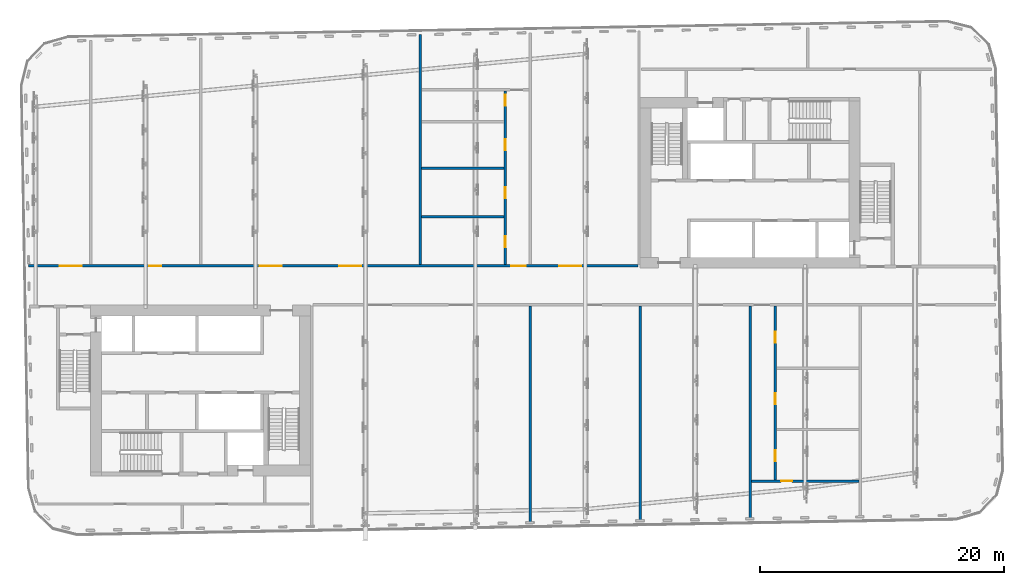
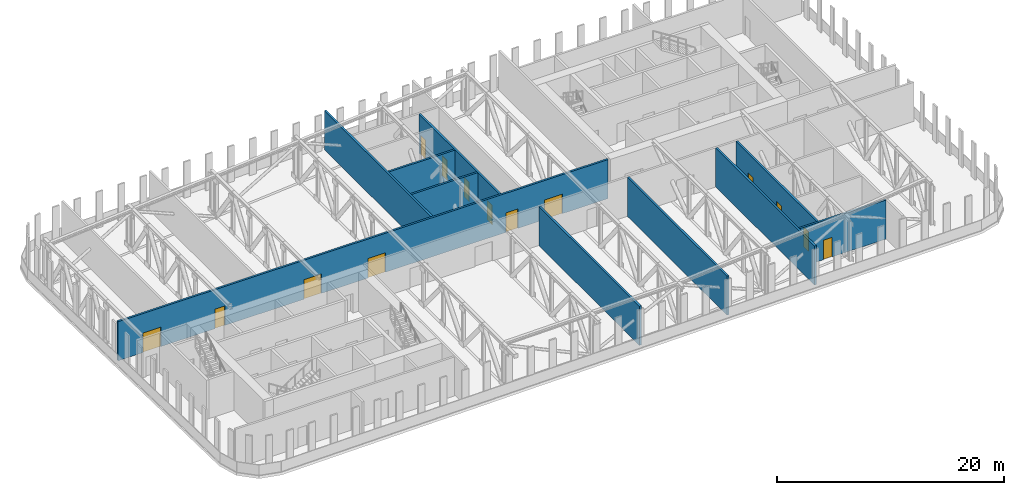
# One storey, part 11 of 26: 14 doors, 10 walls, 14 openings.
"""IFC4 building model written with IfcOpenShell, lengths in metres."""

from ifc_helpers import new_model, si_unit, direction, frame, frame_2d, origin, place, context, subcontext, project, spatial, rectangle, extrude, material, layer, layer_set, type_object, element, fill, save


model = new_model("IFC4")

# Units and contexts
model_context = context("Model", 3, precision=1e-05, world=origin(), true_north=direction((0.0, 1.0)))
body_context = subcontext(model_context, "Body", "Model", "MODEL_VIEW")
ifc_project = project(units=[si_unit("LENGTHUNIT", "METRE"), si_unit("AREAUNIT", "SQUARE_METRE"), si_unit("VOLUMEUNIT", "CUBIC_METRE"), si_unit("PLANEANGLEUNIT", "RADIAN"), si_unit("MASSUNIT", "GRAM", prefix="KILO")], contexts=[model_context])

# Site, building, storey
site_placement = place(None, origin())
site = spatial("IfcSite", under=ifc_project, at=site_placement, CompositionType="ELEMENT")
building_placement = place(site_placement, origin())
building = spatial("IfcBuilding", under=site, at=building_placement, Name="Kajstack Hotel Tower", CompositionType="ELEMENT")
storey_placement = place(building_placement, frame((0.0, 0.0, 257.300048828125)))
storey = spatial("IfcBuildingStorey", under=building, at=storey_placement, Name="L64", CompositionType="ELEMENT", Elevation=257.300048828125)

# Wall, openings, doors
ifc_material_1 = material(Name="Gypsum board on steel studs, mineral wool", Category="steel")
ifc_layer = layer(ifc_material_1, 0.199951171875)
ifc_layer_set = layer_set([ifc_layer], Name="Public partition 200")
wall_type = type_object("IfcWallType", Name="Public partition 200", PredefinedType="PARTITIONING", material=ifc_layer_set)
wall_1_placement = place(storey_placement, frame((2.449951171875, 1.800048828125, 0.0), z_axis=(0.0, 0.0, 1.0), x_axis=(0.0, 1.0, 0.0)))
wall_1 = element("IfcWall", 1, at=wall_1_placement, inside=storey, type_object=wall_type, Name="Partition C1CW", PredefinedType="PARTITIONING", context=body_context, shape_type="SweptSolid", body=[
    extrude(rectangle(XDim=14.20068359375, YDim=0.199951171875, at=frame_2d((7.100341796875, 0.0))), origin(), (0.0, 0.0, 1.0), 4.199951171875),
])
opening_1_placement = place(wall_1_placement, frame((1.39990234375, 0.0, 0.0)))
opening_1 = element("IfcOpeningElement", 2, at=opening_1_placement, cuts=wall_1, Name="Opening 64P03", PredefinedType="OPENING", context=body_context, shape_type="SweptSolid", body=[
    extrude(rectangle(XDim=0.89990234375, YDim=2.10009765625, at=frame_2d((0.449951171875, 1.050048828125))), frame((0.0, 0.10986328125, 0.0), z_axis=(0.0, -1.0, 0.0), x_axis=(1.0, 0.0, 0.0)), (0.0, 0.0, 1.0), 0.219970703125),
])
opening_2_placement = place(wall_1_placement, frame((5.449951171875, 0.0, 0.0)))
opening_2 = element("IfcOpeningElement", 3, at=opening_2_placement, cuts=wall_1, Name="Opening 64P04", PredefinedType="OPENING", context=body_context, shape_type="SweptSolid", body=[
    extrude(rectangle(XDim=0.89990234375, YDim=2.10009765625, at=frame_2d((0.449951171875, 1.050048828125))), frame((0.0, 0.10986328125, 0.0), z_axis=(0.0, -1.0, 0.0), x_axis=(1.0, 0.0, 0.0)), (0.0, 0.0, 1.0), 0.219970703125),
])
opening_3_placement = place(wall_1_placement, frame((9.35009765625, 0.0, 0.0)))
opening_3 = element("IfcOpeningElement", 4, at=opening_3_placement, cuts=wall_1, Name="Opening 64P05", PredefinedType="OPENING", context=body_context, shape_type="SweptSolid", body=[
    extrude(rectangle(XDim=0.89990234375, YDim=2.10009765625, at=frame_2d((0.449951171875, 1.050048828125))), frame((0.0, 0.10986328125, 0.0), z_axis=(0.0, -1.0, 0.0), x_axis=(1.0, 0.0, 0.0)), (0.0, 0.0, 1.0), 0.219970703125),
])
opening_4_placement = place(wall_1_placement, frame((13.0, 0.0, 0.0)))
opening_4 = element("IfcOpeningElement", 5, at=opening_4_placement, cuts=wall_1, Name="Opening 64P06", PredefinedType="OPENING", context=body_context, shape_type="SweptSolid", body=[
    extrude(rectangle(XDim=0.89990234375, YDim=2.10009765625, at=frame_2d((0.449951171875, 1.050048828125))), frame((0.0, 0.10986328125, 0.0), z_axis=(0.0, -1.0, 0.0), x_axis=(1.0, 0.0, 0.0)), (0.0, 0.0, 1.0), 0.219970703125),
])
ifc_material_2 = material(Name="Timber leaf", Category="wood")
door_type_1 = type_object("IfcDoorType", Name="Public room door 900", OperationType="SINGLE_SWING_LEFT", PredefinedType="DOOR", material=ifc_material_2)
door_1_placement = place(opening_1_placement, origin())
door_1 = element("IfcDoor", 6, at=door_1_placement, inside=storey, type_object=door_type_1, Name="Door 64P03", OperationType="SINGLE_SWING_LEFT", OverallHeight=2.10009765625, OverallWidth=0.89990234375, PredefinedType="DOOR", context=body_context, shape_type="SweptSolid", body=[
    extrude(rectangle(XDim=0.89990234375, YDim=2.10009765625, at=frame_2d((0.449951171875, 1.050048828125))), frame((0.0, 0.02490234375, 0.0), z_axis=(0.0, -1.0, 0.0), x_axis=(1.0, 0.0, 0.0)), (0.0, 0.0, 1.0), 0.050048828125),
])
fill(opening_1, door_1)
door_2_placement = place(opening_2_placement, origin())
door_2 = element("IfcDoor", 7, at=door_2_placement, inside=storey, type_object=door_type_1, Name="Door 64P04", OperationType="SINGLE_SWING_LEFT", OverallHeight=2.10009765625, OverallWidth=0.89990234375, PredefinedType="DOOR", context=body_context, shape_type="SweptSolid", body=[
    extrude(rectangle(XDim=0.89990234375, YDim=2.10009765625, at=frame_2d((0.449951171875, 1.050048828125))), frame((0.0, 0.02490234375, 0.0), z_axis=(0.0, -1.0, 0.0), x_axis=(1.0, 0.0, 0.0)), (0.0, 0.0, 1.0), 0.050048828125),
])
fill(opening_2, door_2)
door_3_placement = place(opening_3_placement, origin())
door_3 = element("IfcDoor", 8, at=door_3_placement, inside=storey, type_object=door_type_1, Name="Door 64P05", OperationType="SINGLE_SWING_LEFT", OverallHeight=2.10009765625, OverallWidth=0.89990234375, PredefinedType="DOOR", context=body_context, shape_type="SweptSolid", body=[
    extrude(rectangle(XDim=0.89990234375, YDim=2.10009765625, at=frame_2d((0.449951171875, 1.050048828125))), frame((0.0, 0.02490234375, 0.0), z_axis=(0.0, -1.0, 0.0), x_axis=(1.0, 0.0, 0.0)), (0.0, 0.0, 1.0), 0.050048828125),
])
fill(opening_3, door_3)
door_4_placement = place(opening_4_placement, origin())
door_4 = element("IfcDoor", 9, at=door_4_placement, inside=storey, type_object=door_type_1, Name="Door 64P06", OperationType="SINGLE_SWING_LEFT", OverallHeight=2.10009765625, OverallWidth=0.89990234375, PredefinedType="DOOR", context=body_context, shape_type="SweptSolid", body=[
    extrude(rectangle(XDim=0.89990234375, YDim=2.10009765625, at=frame_2d((0.449951171875, 1.050048828125))), frame((0.0, 0.02490234375, 0.0), z_axis=(0.0, -1.0, 0.0), x_axis=(1.0, 0.0, 0.0)), (0.0, 0.0, 1.0), 0.050048828125),
])
fill(opening_4, door_4)

# Walls
for number, where, z_axis, x_axis, name in (
    (10, (-4.39990234375, 5.699951171875, 0.0), (0.0, 0.0, 1.0), (1.0, 0.0, 0.0), "Partition C1wP0"),
    (11, (-4.39990234375, 9.699951171875, 0.0), (0.0, 0.0, 1.0), (1.0, 0.0, 0.0), "Partition C1wP1"),
):
    element("IfcWall", number, at=place(storey_placement, frame(where, z_axis=z_axis, x_axis=x_axis)), inside=storey, type_object=wall_type, Name=name, PredefinedType="PARTITIONING", context=body_context, shape_type="SweptSolid", body=[
        extrude(rectangle(XDim=6.75, YDim=0.199951171875, at=frame_2d((3.375, 0.0))), origin(), (0.0, 0.0, 1.0), 4.199951171875),
    ])
wall_2_placement = place(storey_placement, frame((-4.5, 1.800048828125, 0.0), z_axis=(0.0, 0.0, 1.0), x_axis=(0.0, 1.0, 0.0)))
element("IfcWall", 12, at=wall_2_placement, inside=storey, type_object=wall_type, Name="Partition PX1", PredefinedType="PARTITIONING", context=body_context, shape_type="SweptSolid", body=[
    extrude(rectangle(XDim=18.822021484375, YDim=0.199951171875, at=frame_2d((9.4111328125, 0.0))), origin(), (0.0, 0.0, 1.0), 4.199951171875),
])

# Wall, openings, doors
wall_3_placement = place(storey_placement, frame((-36.57177734375, 1.699951171875, 0.0), z_axis=(0.0, 0.0, 1.0), x_axis=(1.0, 0.0, 0.0)))
wall_3 = element("IfcWall", 13, at=wall_3_placement, inside=storey, type_object=wall_type, Name="Partition FW", PredefinedType="PARTITIONING", context=body_context, shape_type="SweptSolid", body=[
    extrude(rectangle(XDim=49.871826171875, YDim=0.199951171875, at=frame_2d((24.93603515625, 0.0))), origin(), (0.0, 0.0, 1.0), 4.199951171875),
])
opening_5_placement = place(wall_3_placement, frame((43.421630859375, 0.0, 0.0)))
opening_5 = element("IfcOpeningElement", 14, at=opening_5_placement, cuts=wall_3, Name="Opening 64P01", PredefinedType="OPENING", context=body_context, shape_type="SweptSolid", body=[
    extrude(rectangle(XDim=1.800048828125, YDim=2.10009765625, at=frame_2d((0.89990234375, 1.050048828125))), frame((0.0, 0.10986328125, 0.0), z_axis=(0.0, -1.0, 0.0), x_axis=(1.0, 0.0, 0.0)), (0.0, 0.0, 1.0), 0.219970703125),
])
opening_6_placement = place(wall_3_placement, frame((39.49658203125, 0.0, 0.0)))
opening_6 = element("IfcOpeningElement", 15, at=opening_6_placement, cuts=wall_3, Name="Opening 64P02", PredefinedType="OPENING", context=body_context, shape_type="SweptSolid", body=[
    extrude(rectangle(XDim=1.199951171875, YDim=2.10009765625, at=frame_2d((0.60009765625, 1.050048828125))), frame((0.0, 0.10986328125, 0.0), z_axis=(0.0, -1.0, 0.0), x_axis=(1.0, 0.0, 0.0)), (0.0, 0.0, 1.0), 0.219970703125),
])
opening_7_placement = place(wall_3_placement, frame((25.431640625, 0.0, 0.0)))
opening_7 = element("IfcOpeningElement", 16, at=opening_7_placement, cuts=wall_3, Name="Opening 64P08", PredefinedType="OPENING", context=body_context, shape_type="SweptSolid", body=[
    extrude(rectangle(XDim=1.800048828125, YDim=2.10009765625, at=frame_2d((0.89990234375, 1.050048828125))), frame((0.0, 0.10986328125, 0.0), z_axis=(0.0, -1.0, 0.0), x_axis=(1.0, 0.0, 0.0)), (0.0, 0.0, 1.0), 0.219970703125),
])
opening_8_placement = place(wall_3_placement, frame((18.91162109375, 0.0, 0.0)))
opening_8 = element("IfcOpeningElement", 17, at=opening_8_placement, cuts=wall_3, Name="Opening 64P09", PredefinedType="OPENING", context=body_context, shape_type="SweptSolid", body=[
    extrude(rectangle(XDim=1.800048828125, YDim=2.10009765625, at=frame_2d((0.89990234375, 1.050048828125))), frame((0.0, 0.10986328125, 0.0), z_axis=(0.0, -1.0, 0.0), x_axis=(1.0, 0.0, 0.0)), (0.0, 0.0, 1.0), 0.219970703125),
])
opening_9_placement = place(wall_3_placement, frame((9.87158203125, 0.0, 0.0)))
opening_9 = element("IfcOpeningElement", 18, at=opening_9_placement, cuts=wall_3, Name="Opening 64P10", PredefinedType="OPENING", context=body_context, shape_type="SweptSolid", body=[
    extrude(rectangle(XDim=1.0, YDim=2.10009765625, at=frame_2d((0.5, 1.050048828125))), frame((0.0, 0.10986328125, 0.0), z_axis=(0.0, -1.0, 0.0), x_axis=(1.0, 0.0, 0.0)), (0.0, 0.0, 1.0), 0.219970703125),
])
opening_10_placement = place(wall_3_placement, frame((2.562744140625, 0.0, 0.0)))
opening_10 = element("IfcOpeningElement", 19, at=opening_10_placement, cuts=wall_3, Name="Opening 64P11", PredefinedType="OPENING", context=body_context, shape_type="SweptSolid", body=[
    extrude(rectangle(XDim=1.800048828125, YDim=2.10009765625, at=frame_2d((0.89990234375, 1.050048828125))), frame((0.0, 0.10986328125, 0.0), z_axis=(0.0, -1.0, 0.0), x_axis=(1.0, 0.0, 0.0)), (0.0, 0.0, 1.0), 0.219970703125),
])
ifc_material_3 = material(Name="Timber leaf, fire-rated", Category="wood")
door_type_2 = type_object("IfcDoorType", Name="Public corridor door 1200", OperationType="SINGLE_SWING_LEFT", PredefinedType="DOOR", material=ifc_material_3)
door_5_placement = place(opening_6_placement, origin())
door_5 = element("IfcDoor", 20, at=door_5_placement, inside=storey, type_object=door_type_2, Name="Door 64P02", OperationType="SINGLE_SWING_LEFT", OverallHeight=2.10009765625, OverallWidth=1.199951171875, PredefinedType="DOOR", context=body_context, shape_type="SweptSolid", body=[
    extrude(rectangle(XDim=1.199951171875, YDim=2.10009765625, at=frame_2d((0.60009765625, 1.050048828125))), frame((0.0, 0.02490234375, 0.0), z_axis=(0.0, -1.0, 0.0), x_axis=(1.0, 0.0, 0.0)), (0.0, 0.0, 1.0), 0.050048828125),
])
fill(opening_6, door_5)
ifc_material_4 = material(Name="Glazed timber frame, fire-rated glass", Category="wood")
door_type_3 = type_object("IfcDoorType", Name="Public double door 1800", OperationType="DOUBLE_DOOR_DOUBLE_SWING", PredefinedType="DOOR", material=ifc_material_4)
door_6_placement = place(opening_5_placement, origin())
door_6 = element("IfcDoor", 21, at=door_6_placement, inside=storey, type_object=door_type_3, Name="Door 64P01", OperationType="DOUBLE_DOOR_DOUBLE_SWING", OverallHeight=2.10009765625, OverallWidth=1.800048828125, PredefinedType="DOOR", context=body_context, shape_type="SweptSolid", body=[
    extrude(rectangle(XDim=1.800048828125, YDim=2.10009765625, at=frame_2d((0.89990234375, 1.050048828125))), frame((0.0, 0.02490234375, 0.0), z_axis=(0.0, -1.0, 0.0), x_axis=(1.0, 0.0, 0.0)), (0.0, 0.0, 1.0), 0.050048828125),
])
fill(opening_5, door_6)
door_7_placement = place(opening_7_placement, origin())
door_7 = element("IfcDoor", 22, at=door_7_placement, inside=storey, type_object=door_type_3, Name="Door 64P08", OperationType="DOUBLE_DOOR_DOUBLE_SWING", OverallHeight=2.10009765625, OverallWidth=1.800048828125, PredefinedType="DOOR", context=body_context, shape_type="SweptSolid", body=[
    extrude(rectangle(XDim=1.800048828125, YDim=2.10009765625, at=frame_2d((0.89990234375, 1.050048828125))), frame((0.0, 0.02490234375, 0.0), z_axis=(0.0, -1.0, 0.0), x_axis=(1.0, 0.0, 0.0)), (0.0, 0.0, 1.0), 0.050048828125),
])
fill(opening_7, door_7)
door_8_placement = place(opening_8_placement, origin())
door_8 = element("IfcDoor", 23, at=door_8_placement, inside=storey, type_object=door_type_3, Name="Door 64P09", OperationType="DOUBLE_DOOR_DOUBLE_SWING", OverallHeight=2.10009765625, OverallWidth=1.800048828125, PredefinedType="DOOR", context=body_context, shape_type="SweptSolid", body=[
    extrude(rectangle(XDim=1.800048828125, YDim=2.10009765625, at=frame_2d((0.89990234375, 1.050048828125))), frame((0.0, 0.02490234375, 0.0), z_axis=(0.0, -1.0, 0.0), x_axis=(1.0, 0.0, 0.0)), (0.0, 0.0, 1.0), 0.050048828125),
])
fill(opening_8, door_8)
door_9_placement = place(opening_10_placement, origin())
door_9 = element("IfcDoor", 24, at=door_9_placement, inside=storey, type_object=door_type_3, Name="Door 64P11", OperationType="DOUBLE_DOOR_DOUBLE_SWING", OverallHeight=2.10009765625, OverallWidth=1.800048828125, PredefinedType="DOOR", context=body_context, shape_type="SweptSolid", body=[
    extrude(rectangle(XDim=1.800048828125, YDim=2.10009765625, at=frame_2d((0.89990234375, 1.050048828125))), frame((0.0, 0.02490234375, 0.0), z_axis=(0.0, -1.0, 0.0), x_axis=(1.0, 0.0, 0.0)), (0.0, 0.0, 1.0), 0.050048828125),
])
fill(opening_10, door_9)
door_type_4 = type_object("IfcDoorType", Name="Public room door 1000", OperationType="SINGLE_SWING_LEFT", PredefinedType="DOOR", material=ifc_material_2)
door_10_placement = place(opening_9_placement, origin())
door_10 = element("IfcDoor", 25, at=door_10_placement, inside=storey, type_object=door_type_4, Name="Door 64P10", OperationType="SINGLE_SWING_LEFT", OverallHeight=2.10009765625, OverallWidth=1.0, PredefinedType="DOOR", context=body_context, shape_type="SweptSolid", body=[
    extrude(rectangle(XDim=1.0, YDim=2.10009765625, at=frame_2d((0.5, 1.050048828125))), frame((0.0, 0.02490234375, 0.0), z_axis=(0.0, -1.0, 0.0), x_axis=(1.0, 0.0, 0.0)), (0.0, 0.0, 1.0), 0.050048828125),
])
fill(opening_9, door_10)

# Walls
wall_4_placement = place(storey_placement, frame((4.5, -19.326904296875, 0.0), z_axis=(0.0, 0.0, 1.0), x_axis=(0.0, 1.0, 0.0)))
element("IfcWall", 26, at=wall_4_placement, inside=storey, type_object=wall_type, Name="Partition SPX0", PredefinedType="PARTITIONING", context=body_context, shape_type="SweptSolid", body=[
    extrude(rectangle(XDim=17.726806640625, YDim=0.199951171875, at=frame_2d((8.86328125, 0.0))), origin(), (0.0, 0.0, 1.0), 4.199951171875),
])
wall_5_placement = place(storey_placement, frame((13.5, -19.169677734375, 0.0), z_axis=(0.0, 0.0, 1.0), x_axis=(0.0, 1.0, 0.0)))
element("IfcWall", 27, at=wall_5_placement, inside=storey, type_object=wall_type, Name="Partition SPX1", PredefinedType="PARTITIONING", context=body_context, shape_type="SweptSolid", body=[
    extrude(rectangle(XDim=17.569580078125, YDim=0.199951171875, at=frame_2d((8.78466796875, 0.0))), origin(), (0.0, 0.0, 1.0), 4.199951171875),
])
wall_6_placement = place(storey_placement, frame((22.5, -19.0126953125, 0.0), z_axis=(0.0, 0.0, 1.0), x_axis=(0.0, 1.0, 0.0)))
element("IfcWall", 28, at=wall_6_placement, inside=storey, type_object=wall_type, Name="Partition SPX2", PredefinedType="PARTITIONING", context=body_context, shape_type="SweptSolid", body=[
    extrude(rectangle(XDim=17.41259765625, YDim=0.199951171875, at=frame_2d((8.706298828125, 0.0))), origin(), (0.0, 0.0, 1.0), 4.199951171875),
])

# Wall, openings, doors
wall_7_placement = place(storey_placement, frame((24.550048828125, -15.834228515625, 0.0), z_axis=(0.0, 0.0, 1.0), x_axis=(0.0, 1.0, 0.0)))
wall_7 = element("IfcWall", 29, at=wall_7_placement, inside=storey, type_object=wall_type, Name="Partition SC3CW", PredefinedType="PARTITIONING", context=body_context, shape_type="SweptSolid", body=[
    extrude(rectangle(XDim=14.234130859375, YDim=0.199951171875, at=frame_2d((7.1171875, 0.0))), origin(), (0.0, 0.0, 1.0), 4.199951171875),
])
opening_11_placement = place(wall_7_placement, frame((11.234130859375, 0.0, 0.0)))
opening_11 = element("IfcOpeningElement", 30, at=opening_11_placement, cuts=wall_7, Name="Opening 64P17", PredefinedType="OPENING", context=body_context, shape_type="SweptSolid", body=[
    extrude(rectangle(XDim=0.89990234375, YDim=2.10009765625, at=frame_2d((0.449951171875, 1.050048828125))), frame((0.0, 0.10986328125, 0.0), z_axis=(0.0, -1.0, 0.0), x_axis=(1.0, 0.0, 0.0)), (0.0, 0.0, 1.0), 0.219970703125),
])
opening_12_placement = place(wall_7_placement, frame((6.18408203125, 0.0, 0.0)))
opening_12 = element("IfcOpeningElement", 31, at=opening_12_placement, cuts=wall_7, Name="Opening 64P18", PredefinedType="OPENING", context=body_context, shape_type="SweptSolid", body=[
    extrude(rectangle(XDim=0.89990234375, YDim=2.10009765625, at=frame_2d((0.449951171875, 1.050048828125))), frame((0.0, 0.10986328125, 0.0), z_axis=(0.0, -1.0, 0.0), x_axis=(1.0, 0.0, 0.0)), (0.0, 0.0, 1.0), 0.219970703125),
])
opening_13_placement = place(wall_7_placement, frame((1.51708984375, 0.0, 0.0)))
opening_13 = element("IfcOpeningElement", 32, at=opening_13_placement, cuts=wall_7, Name="Opening 64P19", PredefinedType="OPENING", context=body_context, shape_type="SweptSolid", body=[
    extrude(rectangle(XDim=0.89990234375, YDim=2.10009765625, at=frame_2d((0.449951171875, 1.050048828125))), frame((0.0, 0.10986328125, 0.0), z_axis=(0.0, -1.0, 0.0), x_axis=(1.0, 0.0, 0.0)), (0.0, 0.0, 1.0), 0.219970703125),
])
door_11_placement = place(opening_11_placement, origin())
door_11 = element("IfcDoor", 33, at=door_11_placement, inside=storey, type_object=door_type_1, Name="Door 64P17", OperationType="SINGLE_SWING_RIGHT", OverallHeight=2.10009765625, OverallWidth=0.89990234375, PredefinedType="DOOR", context=body_context, shape_type="SweptSolid", body=[
    extrude(rectangle(XDim=0.89990234375, YDim=2.10009765625, at=frame_2d((0.449951171875, 1.050048828125))), frame((0.0, 0.02490234375, 0.0), z_axis=(0.0, -1.0, 0.0), x_axis=(1.0, 0.0, 0.0)), (0.0, 0.0, 1.0), 0.050048828125),
])
fill(opening_11, door_11)
door_12_placement = place(opening_12_placement, origin())
door_12 = element("IfcDoor", 34, at=door_12_placement, inside=storey, type_object=door_type_1, Name="Door 64P18", OperationType="SINGLE_SWING_RIGHT", OverallHeight=2.10009765625, OverallWidth=0.89990234375, PredefinedType="DOOR", context=body_context, shape_type="SweptSolid", body=[
    extrude(rectangle(XDim=0.89990234375, YDim=2.10009765625, at=frame_2d((0.449951171875, 1.050048828125))), frame((0.0, 0.02490234375, 0.0), z_axis=(0.0, -1.0, 0.0), x_axis=(1.0, 0.0, 0.0)), (0.0, 0.0, 1.0), 0.050048828125),
])
fill(opening_12, door_12)
door_13_placement = place(opening_13_placement, origin())
door_13 = element("IfcDoor", 35, at=door_13_placement, inside=storey, type_object=door_type_1, Name="Door 64P19", OperationType="SINGLE_SWING_RIGHT", OverallHeight=2.10009765625, OverallWidth=0.89990234375, PredefinedType="DOOR", context=body_context, shape_type="SweptSolid", body=[
    extrude(rectangle(XDim=0.89990234375, YDim=2.10009765625, at=frame_2d((0.449951171875, 1.050048828125))), frame((0.0, 0.02490234375, 0.0), z_axis=(0.0, -1.0, 0.0), x_axis=(1.0, 0.0, 0.0)), (0.0, 0.0, 1.0), 0.050048828125),
])
fill(opening_13, door_13)

# Wall, opening, door
wall_8_placement = place(storey_placement, frame((22.60009765625, -15.93408203125, 0.0), z_axis=(0.0, 0.0, 1.0), x_axis=(1.0, 0.0, 0.0)))
wall_8 = element("IfcWall", 36, at=wall_8_placement, inside=storey, type_object=wall_type, Name="Partition SC3BW", PredefinedType="PARTITIONING", context=body_context, shape_type="SweptSolid", body=[
    extrude(rectangle(XDim=8.7998046875, YDim=0.199951171875, at=frame_2d((4.39990234375, 0.0))), origin(), (0.0, 0.0, 1.0), 4.199951171875),
])
opening_14_placement = place(wall_8_placement, frame((2.425048828125, 0.0, 0.0)))
opening_14 = element("IfcOpeningElement", 37, at=opening_14_placement, cuts=wall_8, Name="Opening 64P20", PredefinedType="OPENING", context=body_context, shape_type="SweptSolid", body=[
    extrude(rectangle(XDim=0.89990234375, YDim=2.10009765625, at=frame_2d((0.449951171875, 1.050048828125))), frame((0.0, 0.10986328125, 0.0), z_axis=(0.0, -1.0, 0.0), x_axis=(1.0, 0.0, 0.0)), (0.0, 0.0, 1.0), 0.219970703125),
])
door_14_placement = place(opening_14_placement, origin())
door_14 = element("IfcDoor", 38, at=door_14_placement, inside=storey, type_object=door_type_1, Name="Door 64P20", OperationType="SINGLE_SWING_RIGHT", OverallHeight=2.10009765625, OverallWidth=0.89990234375, PredefinedType="DOOR", context=body_context, shape_type="SweptSolid", body=[
    extrude(rectangle(XDim=0.89990234375, YDim=2.10009765625, at=frame_2d((0.449951171875, 1.050048828125))), frame((0.0, 0.02490234375, 0.0), z_axis=(0.0, -1.0, 0.0), x_axis=(1.0, 0.0, 0.0)), (0.0, 0.0, 1.0), 0.050048828125),
])
fill(opening_14, door_14)

save(model, "model.ifc")
